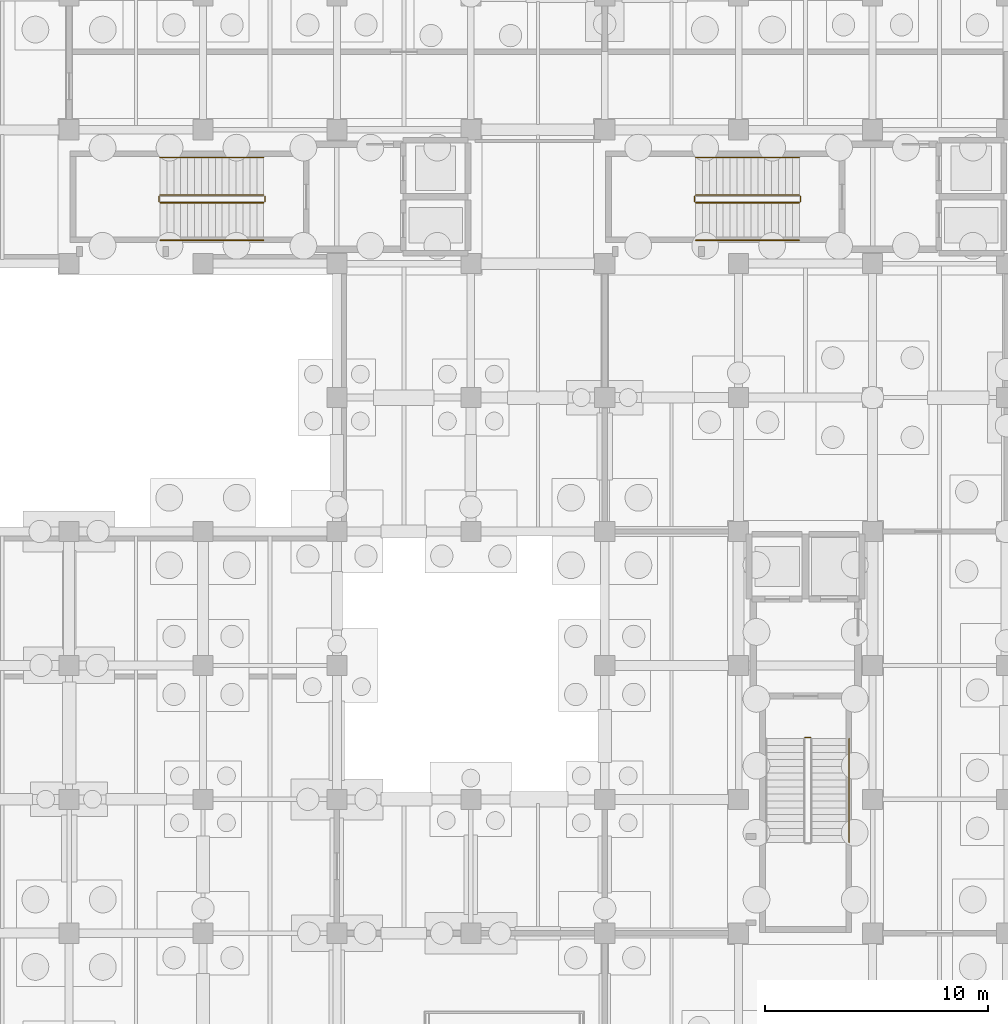
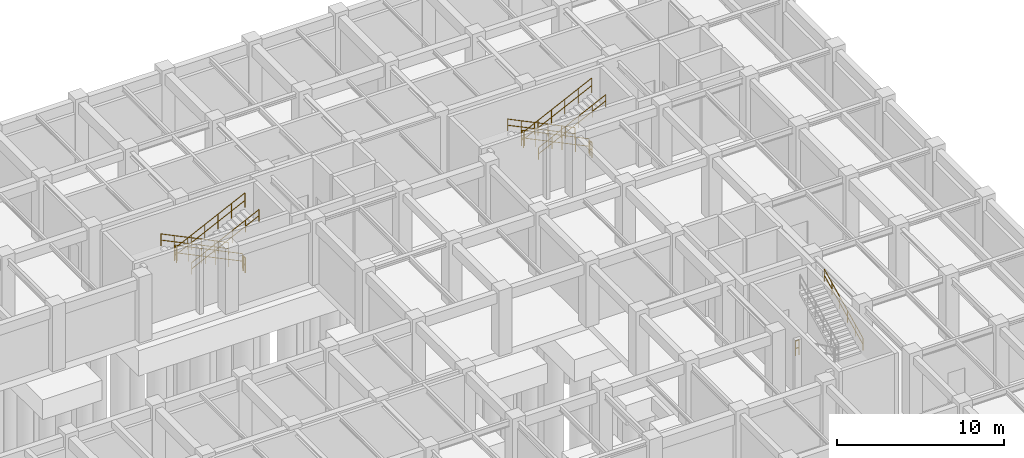
# One storey, part 53 of 54: 14 railings.
"""IFC4 building model written with IfcOpenShell, lengths in metres."""

from ifc_helpers import new_model, si_unit, direction, frame, origin, origin_2d, place, context, subcontext, project, spatial, circle, extrude, material, type_object, element, save


model = new_model("IFC4")

# Units and contexts
model_context = context("Model", 3, precision=1e-05, world=origin(), true_north=direction((0.0, 1.0)))
body_context = subcontext(model_context, "Body", "Model", "MODEL_VIEW")
ifc_project = project(units=[si_unit("LENGTHUNIT", "METRE"), si_unit("AREAUNIT", "SQUARE_METRE"), si_unit("VOLUMEUNIT", "CUBIC_METRE"), si_unit("PLANEANGLEUNIT", "RADIAN"), si_unit("MASSUNIT", "GRAM", prefix="KILO"), si_unit("THERMODYNAMICTEMPERATUREUNIT", "KELVIN"), si_unit("POWERUNIT", "WATT")], contexts=[model_context])

# Site, building, storey
site_placement = place(None, origin())
site = spatial("IfcSite", under=ifc_project, at=site_placement, CompositionType="ELEMENT")
building_placement = place(site_placement, origin())
building = spatial("IfcBuilding", under=site, at=building_placement, Name="Phaisarnlok Congress Hotel", CompositionType="ELEMENT")
storey_placement = place(building_placement, frame((0.0, 0.0, -4.800048828125)))
storey = spatial("IfcBuildingStorey", under=building, at=storey_placement, Name="B01", CompositionType="ELEMENT", Elevation=-4.800048828125)

# Railings
ifc_material_1 = material(Name="Painted Galvanised Steel S275", Category="steel")
railing_type_1 = type_object("IfcRailingType", Name="RLG-STR-GUARD", PredefinedType="BALUSTRADE", material=ifc_material_1)
railing_1_placement = place(storey_placement, frame((164.719970703125, 111.070068359375, 0.150146484375)))
element("IfcRailing", 1, at=railing_1_placement, inside=storey, type_object=railing_type_1, Name="B01 ST-05 stair guard 1", PredefinedType="BALUSTRADE", context=body_context, shape_type="SweptSolid", body=[
    extrude(circle(Radius=0.02392578125, at=origin_2d()), frame((0.0, 0.0, 1.076171875), z_axis=(-0.900155664878, 0.0, 0.435568340204), x_axis=(0.0, -1.0, 0.0)), (0.0, 0.0, 1.0), 5.165771484375),
    extrude(circle(Radius=0.02392578125, at=origin_2d()), frame((0.0, 0.0, 0.52587890625), z_axis=(-0.900155664878, 0.0, 0.435568340204), x_axis=(0.0, -1.0, 0.0)), (0.0, 0.0, 1.0), 5.165771484375),
    extrude(circle(Radius=0.02099609375, at=origin_2d()), origin(), (0.0, 0.0, 1.0), 1.052001953125),
    extrude(circle(Radius=0.02099609375, at=origin_2d()), frame((-0.929931640625, 0.0, 0.449951171875)), (0.0, 0.0, 1.0), 1.052001953125),
    extrude(circle(Radius=0.02099609375, at=origin_2d()), frame((-1.85986328125, 0.0, 0.89990234375)), (0.0, 0.0, 1.0), 1.052001953125),
    extrude(circle(Radius=0.02099609375, at=origin_2d()), frame((-2.7900390625, 0.0, 1.35009765625)), (0.0, 0.0, 1.0), 1.052001953125),
    extrude(circle(Radius=0.02099609375, at=origin_2d()), frame((-3.719970703125, 0.0, 1.800048828125)), (0.0, 0.0, 1.0), 1.052001953125),
    extrude(circle(Radius=0.02099609375, at=origin_2d()), frame((-4.64990234375, 0.0, 2.25)), (0.0, 0.0, 1.0), 1.052001953125),
])
railing_2_placement = place(storey_placement, frame((160.02001953125, 111.02001953125, 2.400146484375)))
element("IfcRailing", 2, at=railing_2_placement, inside=storey, type_object=railing_type_1, Name="B01 ST-05 stair guard 2", PredefinedType="BALUSTRADE", context=body_context, shape_type="SweptSolid", body=[
    extrude(circle(Radius=0.02392578125, at=origin_2d()), frame((0.0, 0.0, 1.076171875), z_axis=(0.0, -1.0, 0.0), x_axis=(1.0, 0.0, 0.0)), (0.0, 0.0, 1.0), 0.239990234375),
    extrude(circle(Radius=0.02392578125, at=origin_2d()), frame((0.0, 0.0, 0.52587890625), z_axis=(0.0, -1.0, 0.0), x_axis=(1.0, 0.0, 0.0)), (0.0, 0.0, 1.0), 0.239990234375),
    extrude(circle(Radius=0.02099609375, at=origin_2d()), origin(), (0.0, 0.0, 1.0), 1.052001953125),
    extrude(circle(Radius=0.02099609375, at=origin_2d()), frame((0.0, -0.239990234375, 0.0)), (0.0, 0.0, 1.0), 1.052001953125),
])
railing_3_placement = place(storey_placement, frame((160.070068359375, 110.72998046875, 2.550048828125)))
element("IfcRailing", 3, at=railing_3_placement, inside=storey, type_object=railing_type_1, Name="B01 ST-05 stair guard 3", PredefinedType="BALUSTRADE", context=body_context, shape_type="SweptSolid", body=[
    extrude(circle(Radius=0.02392578125, at=origin_2d()), frame((0.0, 0.0, 1.076171875), z_axis=(0.900155664878, 0.0, 0.435568340204), x_axis=(0.0, 1.0, 0.0)), (0.0, 0.0, 1.0), 5.165771484375),
    extrude(circle(Radius=0.02392578125, at=origin_2d()), frame((0.0, 0.0, 0.52587890625), z_axis=(0.900155664878, 0.0, 0.435568340204), x_axis=(0.0, 1.0, 0.0)), (0.0, 0.0, 1.0), 5.165771484375),
    extrude(circle(Radius=0.02099609375, at=origin_2d()), origin(), (0.0, 0.0, 1.0), 1.052001953125),
    extrude(circle(Radius=0.02099609375, at=origin_2d()), frame((0.929931640625, 0.0, 0.449951171875)), (0.0, 0.0, 1.0), 1.052001953125),
    extrude(circle(Radius=0.02099609375, at=origin_2d()), frame((1.85986328125, 0.0, 0.89990234375)), (0.0, 0.0, 1.0), 1.052001953125),
    extrude(circle(Radius=0.02099609375, at=origin_2d()), frame((2.7900390625, 0.0, 1.35009765625)), (0.0, 0.0, 1.0), 1.052001953125),
    extrude(circle(Radius=0.02099609375, at=origin_2d()), frame((3.719970703125, 0.0, 1.800048828125)), (0.0, 0.0, 1.0), 1.052001953125),
    extrude(circle(Radius=0.02099609375, at=origin_2d()), frame((4.64990234375, 0.0, 2.25)), (0.0, 0.0, 1.0), 1.052001953125),
])
railing_4_placement = place(storey_placement, frame((164.77001953125, 111.02001953125, 0.0)))
element("IfcRailing", 4, at=railing_4_placement, inside=storey, type_object=railing_type_1, Name="B01 ST-05 stair guard 4", PredefinedType="BALUSTRADE", context=body_context, shape_type="SweptSolid", body=[
    extrude(circle(Radius=0.02392578125, at=origin_2d()), frame((0.0, 0.0, 1.076171875), z_axis=(0.0, -1.0, 0.0), x_axis=(1.0, 0.0, 0.0)), (0.0, 0.0, 1.0), 0.239990234375),
    extrude(circle(Radius=0.02392578125, at=origin_2d()), frame((0.0, 0.0, 0.52587890625), z_axis=(0.0, -1.0, 0.0), x_axis=(1.0, 0.0, 0.0)), (0.0, 0.0, 1.0), 0.239990234375),
    extrude(circle(Radius=0.02099609375, at=origin_2d()), origin(), (0.0, 0.0, 1.0), 1.052001953125),
    extrude(circle(Radius=0.02099609375, at=origin_2d()), frame((0.0, -0.239990234375, 0.0)), (0.0, 0.0, 1.0), 1.052001953125),
])
railing_5_placement = place(storey_placement, frame((140.719970703125, 111.070068359375, 0.150146484375)))
element("IfcRailing", 5, at=railing_5_placement, inside=storey, type_object=railing_type_1, Name="B01 ST-06 stair guard 1", PredefinedType="BALUSTRADE", context=body_context, shape_type="SweptSolid", body=[
    extrude(circle(Radius=0.02392578125, at=origin_2d()), frame((0.0, 0.0, 1.076171875), z_axis=(-0.900155664878, 0.0, 0.435568340204), x_axis=(0.0, -1.0, 0.0)), (0.0, 0.0, 1.0), 5.165771484375),
    extrude(circle(Radius=0.02392578125, at=origin_2d()), frame((0.0, 0.0, 0.52587890625), z_axis=(-0.900155664878, 0.0, 0.435568340204), x_axis=(0.0, -1.0, 0.0)), (0.0, 0.0, 1.0), 5.165771484375),
    extrude(circle(Radius=0.02099609375, at=origin_2d()), origin(), (0.0, 0.0, 1.0), 1.052001953125),
    extrude(circle(Radius=0.02099609375, at=origin_2d()), frame((-0.929931640625, 0.0, 0.449951171875)), (0.0, 0.0, 1.0), 1.052001953125),
    extrude(circle(Radius=0.02099609375, at=origin_2d()), frame((-1.85986328125, 0.0, 0.89990234375)), (0.0, 0.0, 1.0), 1.052001953125),
    extrude(circle(Radius=0.02099609375, at=origin_2d()), frame((-2.7900390625, 0.0, 1.35009765625)), (0.0, 0.0, 1.0), 1.052001953125),
    extrude(circle(Radius=0.02099609375, at=origin_2d()), frame((-3.719970703125, 0.0, 1.800048828125)), (0.0, 0.0, 1.0), 1.052001953125),
    extrude(circle(Radius=0.02099609375, at=origin_2d()), frame((-4.64990234375, 0.0, 2.25)), (0.0, 0.0, 1.0), 1.052001953125),
])
railing_6_placement = place(storey_placement, frame((136.02001953125, 111.02001953125, 2.400146484375)))
element("IfcRailing", 6, at=railing_6_placement, inside=storey, type_object=railing_type_1, Name="B01 ST-06 stair guard 2", PredefinedType="BALUSTRADE", context=body_context, shape_type="SweptSolid", body=[
    extrude(circle(Radius=0.02392578125, at=origin_2d()), frame((0.0, 0.0, 1.076171875), z_axis=(0.0, -1.0, 0.0), x_axis=(1.0, 0.0, 0.0)), (0.0, 0.0, 1.0), 0.239990234375),
    extrude(circle(Radius=0.02392578125, at=origin_2d()), frame((0.0, 0.0, 0.52587890625), z_axis=(0.0, -1.0, 0.0), x_axis=(1.0, 0.0, 0.0)), (0.0, 0.0, 1.0), 0.239990234375),
    extrude(circle(Radius=0.02099609375, at=origin_2d()), origin(), (0.0, 0.0, 1.0), 1.052001953125),
    extrude(circle(Radius=0.02099609375, at=origin_2d()), frame((0.0, -0.239990234375, 0.0)), (0.0, 0.0, 1.0), 1.052001953125),
])
railing_7_placement = place(storey_placement, frame((136.070068359375, 110.72998046875, 2.550048828125)))
element("IfcRailing", 7, at=railing_7_placement, inside=storey, type_object=railing_type_1, Name="B01 ST-06 stair guard 3", PredefinedType="BALUSTRADE", context=body_context, shape_type="SweptSolid", body=[
    extrude(circle(Radius=0.02392578125, at=origin_2d()), frame((0.0, 0.0, 1.076171875), z_axis=(0.900155664878, 0.0, 0.435568340204), x_axis=(0.0, 1.0, 0.0)), (0.0, 0.0, 1.0), 5.165771484375),
    extrude(circle(Radius=0.02392578125, at=origin_2d()), frame((0.0, 0.0, 0.52587890625), z_axis=(0.900155664878, 0.0, 0.435568340204), x_axis=(0.0, 1.0, 0.0)), (0.0, 0.0, 1.0), 5.165771484375),
    extrude(circle(Radius=0.02099609375, at=origin_2d()), origin(), (0.0, 0.0, 1.0), 1.052001953125),
    extrude(circle(Radius=0.02099609375, at=origin_2d()), frame((0.929931640625, 0.0, 0.449951171875)), (0.0, 0.0, 1.0), 1.052001953125),
    extrude(circle(Radius=0.02099609375, at=origin_2d()), frame((1.85986328125, 0.0, 0.89990234375)), (0.0, 0.0, 1.0), 1.052001953125),
    extrude(circle(Radius=0.02099609375, at=origin_2d()), frame((2.7900390625, 0.0, 1.35009765625)), (0.0, 0.0, 1.0), 1.052001953125),
    extrude(circle(Radius=0.02099609375, at=origin_2d()), frame((3.719970703125, 0.0, 1.800048828125)), (0.0, 0.0, 1.0), 1.052001953125),
    extrude(circle(Radius=0.02099609375, at=origin_2d()), frame((4.64990234375, 0.0, 2.25)), (0.0, 0.0, 1.0), 1.052001953125),
])
railing_8_placement = place(storey_placement, frame((140.77001953125, 111.02001953125, 0.0)))
element("IfcRailing", 8, at=railing_8_placement, inside=storey, type_object=railing_type_1, Name="B01 ST-06 stair guard 4", PredefinedType="BALUSTRADE", context=body_context, shape_type="SweptSolid", body=[
    extrude(circle(Radius=0.02392578125, at=origin_2d()), frame((0.0, 0.0, 1.076171875), z_axis=(0.0, -1.0, 0.0), x_axis=(1.0, 0.0, 0.0)), (0.0, 0.0, 1.0), 0.239990234375),
    extrude(circle(Radius=0.02392578125, at=origin_2d()), frame((0.0, 0.0, 0.52587890625), z_axis=(0.0, -1.0, 0.0), x_axis=(1.0, 0.0, 0.0)), (0.0, 0.0, 1.0), 0.239990234375),
    extrude(circle(Radius=0.02099609375, at=origin_2d()), origin(), (0.0, 0.0, 1.0), 1.052001953125),
    extrude(circle(Radius=0.02099609375, at=origin_2d()), frame((0.0, -0.239990234375, 0.0)), (0.0, 0.0, 1.0), 1.052001953125),
])
railing_9_placement = place(storey_placement, frame((164.97998046875, 86.77001953125, 0.0)))
element("IfcRailing", 9, at=railing_9_placement, inside=storey, type_object=railing_type_1, Name="B01 ST-09 stair guard 4", PredefinedType="BALUSTRADE", context=body_context, shape_type="SweptSolid", body=[
    extrude(circle(Radius=0.02392578125, at=origin_2d()), frame((0.0, 0.0, 1.076171875), z_axis=(1.0, 0.0, 0.0), x_axis=(0.0, 1.0, 0.0)), (0.0, 0.0, 1.0), 0.239990234375),
    extrude(circle(Radius=0.02392578125, at=origin_2d()), frame((0.0, 0.0, 0.52587890625), z_axis=(1.0, 0.0, 0.0), x_axis=(0.0, 1.0, 0.0)), (0.0, 0.0, 1.0), 0.239990234375),
    extrude(circle(Radius=0.02099609375, at=origin_2d()), origin(), (0.0, 0.0, 1.0), 1.052001953125),
    extrude(circle(Radius=0.02099609375, at=origin_2d()), frame((0.239990234375, 0.0, 0.0)), (0.0, 0.0, 1.0), 1.052001953125),
])
ifc_material_2 = material(Name="Brushed Stainless Steel Grade 304", Category="steel")
railing_type_2 = type_object("IfcRailingType", Name="RLG-STR-HRAIL", PredefinedType="HANDRAIL", material=ifc_material_2)
railing_10_placement = place(storey_placement, frame((164.719970703125, 112.75, 0.150146484375)))
element("IfcRailing", 10, at=railing_10_placement, inside=storey, type_object=railing_type_2, Name="B01 ST-05 stair handrail 1", PredefinedType="HANDRAIL", context=body_context, shape_type="SweptSolid", body=[
    extrude(circle(Radius=0.02392578125, at=origin_2d()), frame((0.0, 0.0, 0.8759765625), z_axis=(-0.900155664878, 0.0, 0.435568340204), x_axis=(0.0, -1.0, 0.0)), (0.0, 0.0, 1.0), 5.165771484375),
    extrude(circle(Radius=0.02392578125, at=origin_2d()), frame((0.0, 0.0, 0.42578125), z_axis=(-0.900155664878, 0.0, 0.435568340204), x_axis=(0.0, -1.0, 0.0)), (0.0, 0.0, 1.0), 5.165771484375),
    extrude(circle(Radius=0.02099609375, at=origin_2d()), origin(), (0.0, 0.0, 1.0), 0.851806640625),
    extrude(circle(Radius=0.02099609375, at=origin_2d()), frame((-0.929931640625, 0.0, 0.449951171875)), (0.0, 0.0, 1.0), 0.851806640625),
    extrude(circle(Radius=0.02099609375, at=origin_2d()), frame((-1.85986328125, 0.0, 0.89990234375)), (0.0, 0.0, 1.0), 0.851806640625),
    extrude(circle(Radius=0.02099609375, at=origin_2d()), frame((-2.7900390625, 0.0, 1.35009765625)), (0.0, 0.0, 1.0), 0.851806640625),
    extrude(circle(Radius=0.02099609375, at=origin_2d()), frame((-3.719970703125, 0.0, 1.800048828125)), (0.0, 0.0, 1.0), 0.851806640625),
    extrude(circle(Radius=0.02099609375, at=origin_2d()), frame((-4.64990234375, 0.0, 2.25)), (0.0, 0.0, 1.0), 0.851806640625),
])
railing_11_placement = place(storey_placement, frame((160.070068359375, 109.050048828125, 2.550048828125)))
element("IfcRailing", 11, at=railing_11_placement, inside=storey, type_object=railing_type_2, Name="B01 ST-05 stair handrail 2", PredefinedType="HANDRAIL", context=body_context, shape_type="SweptSolid", body=[
    extrude(circle(Radius=0.02392578125, at=origin_2d()), frame((0.0, 0.0, 0.8759765625), z_axis=(0.900155664878, 0.0, 0.435568340204), x_axis=(0.0, 1.0, 0.0)), (0.0, 0.0, 1.0), 5.165771484375),
    extrude(circle(Radius=0.02392578125, at=origin_2d()), frame((0.0, 0.0, 0.42578125), z_axis=(0.900155664878, 0.0, 0.435568340204), x_axis=(0.0, 1.0, 0.0)), (0.0, 0.0, 1.0), 5.165771484375),
    extrude(circle(Radius=0.02099609375, at=origin_2d()), origin(), (0.0, 0.0, 1.0), 0.851806640625),
    extrude(circle(Radius=0.02099609375, at=origin_2d()), frame((0.929931640625, 0.0, 0.449951171875)), (0.0, 0.0, 1.0), 0.851806640625),
    extrude(circle(Radius=0.02099609375, at=origin_2d()), frame((1.85986328125, 0.0, 0.89990234375)), (0.0, 0.0, 1.0), 0.851806640625),
    extrude(circle(Radius=0.02099609375, at=origin_2d()), frame((2.7900390625, 0.0, 1.35009765625)), (0.0, 0.0, 1.0), 0.851806640625),
    extrude(circle(Radius=0.02099609375, at=origin_2d()), frame((3.719970703125, 0.0, 1.800048828125)), (0.0, 0.0, 1.0), 0.851806640625),
    extrude(circle(Radius=0.02099609375, at=origin_2d()), frame((4.64990234375, 0.0, 2.25)), (0.0, 0.0, 1.0), 0.851806640625),
])
railing_12_placement = place(storey_placement, frame((140.719970703125, 112.75, 0.150146484375)))
element("IfcRailing", 12, at=railing_12_placement, inside=storey, type_object=railing_type_2, Name="B01 ST-06 stair handrail 1", PredefinedType="HANDRAIL", context=body_context, shape_type="SweptSolid", body=[
    extrude(circle(Radius=0.02392578125, at=origin_2d()), frame((0.0, 0.0, 0.8759765625), z_axis=(-0.900155664878, 0.0, 0.435568340204), x_axis=(0.0, -1.0, 0.0)), (0.0, 0.0, 1.0), 5.165771484375),
    extrude(circle(Radius=0.02392578125, at=origin_2d()), frame((0.0, 0.0, 0.42578125), z_axis=(-0.900155664878, 0.0, 0.435568340204), x_axis=(0.0, -1.0, 0.0)), (0.0, 0.0, 1.0), 5.165771484375),
    extrude(circle(Radius=0.02099609375, at=origin_2d()), origin(), (0.0, 0.0, 1.0), 0.851806640625),
    extrude(circle(Radius=0.02099609375, at=origin_2d()), frame((-0.929931640625, 0.0, 0.449951171875)), (0.0, 0.0, 1.0), 0.851806640625),
    extrude(circle(Radius=0.02099609375, at=origin_2d()), frame((-1.85986328125, 0.0, 0.89990234375)), (0.0, 0.0, 1.0), 0.851806640625),
    extrude(circle(Radius=0.02099609375, at=origin_2d()), frame((-2.7900390625, 0.0, 1.35009765625)), (0.0, 0.0, 1.0), 0.851806640625),
    extrude(circle(Radius=0.02099609375, at=origin_2d()), frame((-3.719970703125, 0.0, 1.800048828125)), (0.0, 0.0, 1.0), 0.851806640625),
    extrude(circle(Radius=0.02099609375, at=origin_2d()), frame((-4.64990234375, 0.0, 2.25)), (0.0, 0.0, 1.0), 0.851806640625),
])
railing_13_placement = place(storey_placement, frame((136.070068359375, 109.050048828125, 2.550048828125)))
element("IfcRailing", 13, at=railing_13_placement, inside=storey, type_object=railing_type_2, Name="B01 ST-06 stair handrail 2", PredefinedType="HANDRAIL", context=body_context, shape_type="SweptSolid", body=[
    extrude(circle(Radius=0.02392578125, at=origin_2d()), frame((0.0, 0.0, 0.8759765625), z_axis=(0.900155664878, 0.0, 0.435568340204), x_axis=(0.0, 1.0, 0.0)), (0.0, 0.0, 1.0), 5.165771484375),
    extrude(circle(Radius=0.02392578125, at=origin_2d()), frame((0.0, 0.0, 0.42578125), z_axis=(0.900155664878, 0.0, 0.435568340204), x_axis=(0.0, 1.0, 0.0)), (0.0, 0.0, 1.0), 5.165771484375),
    extrude(circle(Radius=0.02099609375, at=origin_2d()), origin(), (0.0, 0.0, 1.0), 0.851806640625),
    extrude(circle(Radius=0.02099609375, at=origin_2d()), frame((0.929931640625, 0.0, 0.449951171875)), (0.0, 0.0, 1.0), 0.851806640625),
    extrude(circle(Radius=0.02099609375, at=origin_2d()), frame((1.85986328125, 0.0, 0.89990234375)), (0.0, 0.0, 1.0), 0.851806640625),
    extrude(circle(Radius=0.02099609375, at=origin_2d()), frame((2.7900390625, 0.0, 1.35009765625)), (0.0, 0.0, 1.0), 0.851806640625),
    extrude(circle(Radius=0.02099609375, at=origin_2d()), frame((3.719970703125, 0.0, 1.800048828125)), (0.0, 0.0, 1.0), 0.851806640625),
    extrude(circle(Radius=0.02099609375, at=origin_2d()), frame((4.64990234375, 0.0, 2.25)), (0.0, 0.0, 1.0), 0.851806640625),
])
railing_14_placement = place(storey_placement, frame((166.949951171875, 82.070068359375, 2.550048828125)))
element("IfcRailing", 14, at=railing_14_placement, inside=storey, type_object=railing_type_2, Name="B01 ST-09 stair handrail 2", PredefinedType="HANDRAIL", context=body_context, shape_type="SweptSolid", body=[
    extrude(circle(Radius=0.02392578125, at=origin_2d()), frame((0.0, 0.0, 0.8759765625), z_axis=(0.0, 0.900155664878, 0.435568340204), x_axis=(-1.0, 0.0, 0.0)), (0.0, 0.0, 1.0), 5.165771484375),
    extrude(circle(Radius=0.02392578125, at=origin_2d()), frame((0.0, 0.0, 0.42578125), z_axis=(0.0, 0.900155664878, 0.435568340204), x_axis=(-1.0, 0.0, 0.0)), (0.0, 0.0, 1.0), 5.165771484375),
    extrude(circle(Radius=0.02099609375, at=origin_2d()), origin(), (0.0, 0.0, 1.0), 0.851806640625),
    extrude(circle(Radius=0.02099609375, at=origin_2d()), frame((0.0, 0.929931640625, 0.449951171875)), (0.0, 0.0, 1.0), 0.851806640625),
    extrude(circle(Radius=0.02099609375, at=origin_2d()), frame((0.0, 1.85986328125, 0.89990234375)), (0.0, 0.0, 1.0), 0.851806640625),
    extrude(circle(Radius=0.02099609375, at=origin_2d()), frame((0.0, 2.7900390625, 1.35009765625)), (0.0, 0.0, 1.0), 0.851806640625),
    extrude(circle(Radius=0.02099609375, at=origin_2d()), frame((0.0, 3.719970703125, 1.800048828125)), (0.0, 0.0, 1.0), 0.851806640625),
    extrude(circle(Radius=0.02099609375, at=origin_2d()), frame((0.0, 4.64990234375, 2.25)), (0.0, 0.0, 1.0), 0.851806640625),
])

save(model, "model.ifc")
